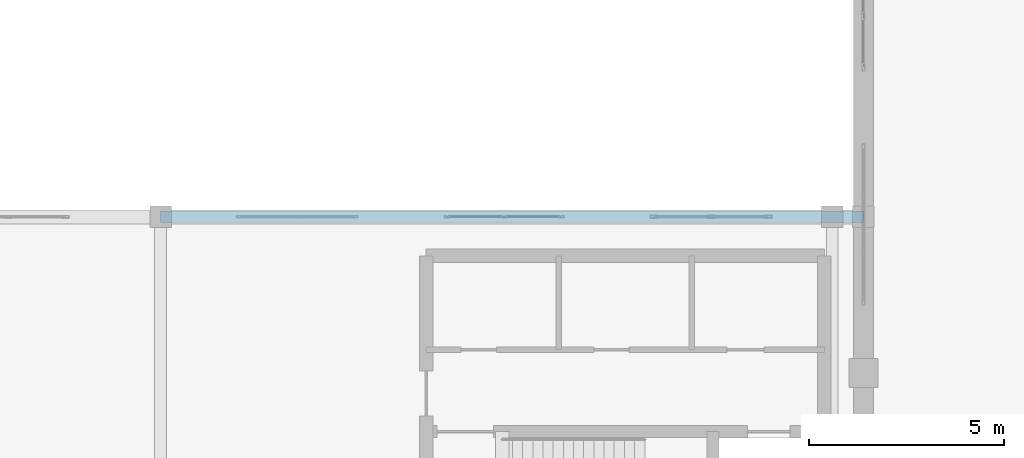
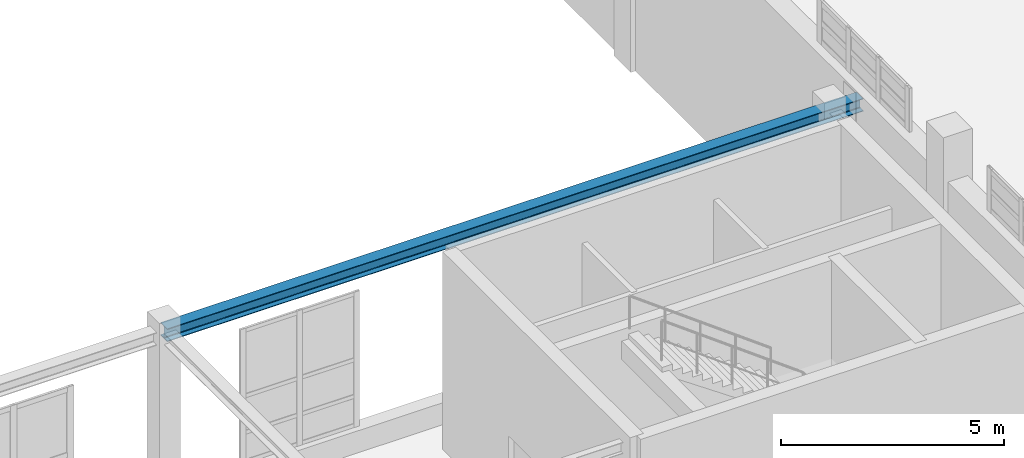
# One storey, part 133 of 197: 1 beam.
"""IFC4 building model written with IfcOpenShell, lengths in metres."""

from ifc_helpers import new_model, si_unit, derived_unit, direction, frame, origin, origin_2d, place, context, subcontext, project, spatial, i_section, extrude, material, material_profile, profile_set, type_object, element, save


model = new_model("IFC4")

# Units and contexts
model_context = context("Model", 3, precision=1e-05, world=origin(), true_north=direction((0.0, 1.0)))
body_context = subcontext(model_context, "Body", "Model", "MODEL_VIEW")
ifc_project = project(units=[si_unit("LENGTHUNIT", "METRE"), si_unit("AREAUNIT", "SQUARE_METRE"), si_unit("VOLUMEUNIT", "CUBIC_METRE"), si_unit("PLANEANGLEUNIT", "RADIAN"), si_unit("MASSUNIT", "GRAM", prefix="KILO"), derived_unit("THERMALTRANSMITTANCEUNIT", [(si_unit("POWERUNIT", "WATT"), 1), (si_unit("LENGTHUNIT", "METRE"), -2), (si_unit("THERMODYNAMICTEMPERATUREUNIT", "KELVIN"), -1)])], contexts=[model_context])

# Site, building, storey
site_placement = place(None, origin())
site = spatial("IfcSite", under=ifc_project, at=site_placement, CompositionType="ELEMENT")
building_placement = place(site_placement, origin())
building = spatial("IfcBuilding", under=site, at=building_placement, Name="Almenara Railside Exhibition Hall", CompositionType="ELEMENT")
storey_placement = place(building_placement, frame((0.0, 0.0, 5.39990234375)))
storey = spatial("IfcBuildingStorey", under=building, at=storey_placement, Name="L01", CompositionType="ELEMENT", Elevation=5.39990234375)

# Beam
ifc_material = material(Name="Structural steel S355JR", Category="steel")
ifc_material_profile = material_profile(ifc_material, i_section(OverallWidth=0.300048828125, OverallDepth=0.35009765625, WebThickness=0.010009765625, FlangeThickness=0.017578125, FilletRadius=0.027099609375, at=origin_2d()), Name="HEA 360")
ifc_profile_set = profile_set([ifc_material_profile], Name="Structural steel S355JR")
beam_type = type_object("IfcBeamType", Name="Steel Concourse Frame Beam HEA 360 S355JR", PredefinedType="BEAM", material=ifc_profile_set)
beam_placement = place(storey_placement, frame((120.0, 108.0, 4.9111328125), z_axis=(1.0, 0.0, 0.0), x_axis=(0.0, 1.0, 0.0)))
element("IfcBeam", 1, at=beam_placement, inside=storey, type_object=beam_type, Name="Beam 0810", PredefinedType="BEAM", context=body_context, shape_type="SweptSolid", body=[
    extrude(i_section(OverallWidth=0.300048828125, OverallDepth=0.35009765625, WebThickness=0.010009765625, FlangeThickness=0.017578125, FilletRadius=0.027099609375, at=origin_2d()), origin(), (0.0, 0.0, 1.0), 18.0),
])

save(model, "model.ifc")
